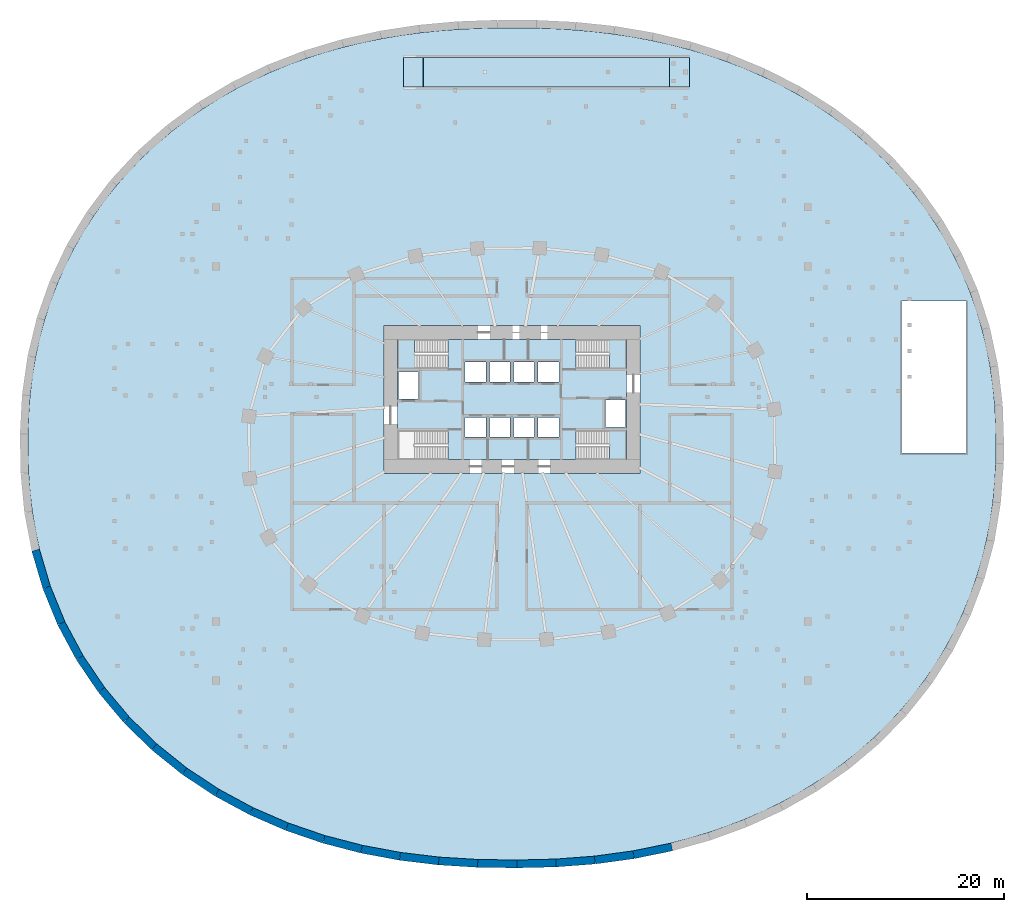
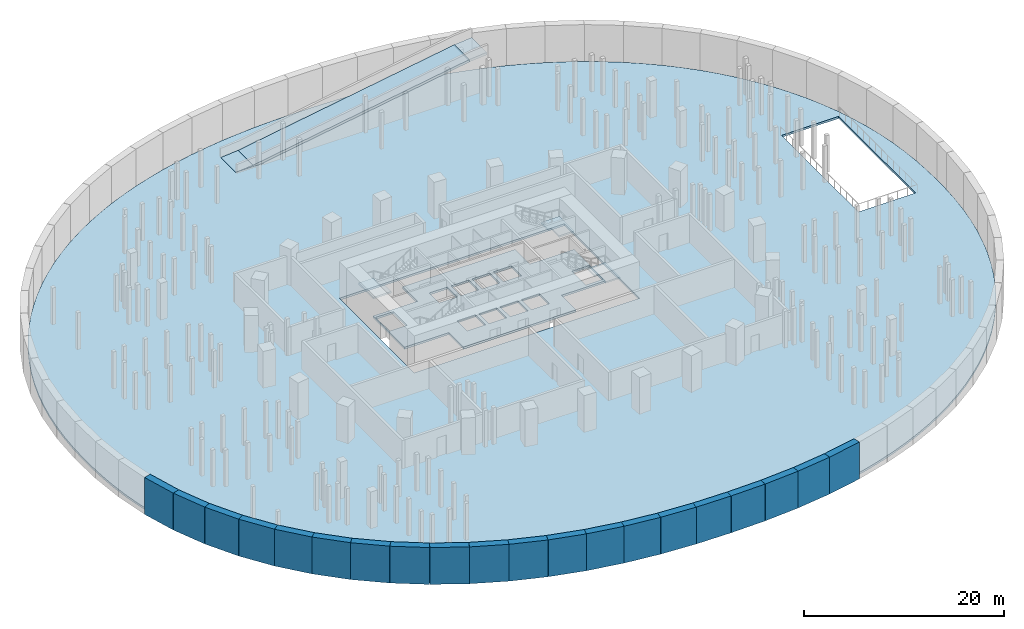
# One storey, part 3 of 9: 20 walls, 8 slabs, 3 elements without a shape of their own.
"""IFC4 building model written with IfcOpenShell, lengths in metres."""

from ifc_helpers import new_model, si_unit, direction, frame, frame_2d, origin, place, context, subcontext, project, spatial, polyline, rectangle, outline, extrude, material, layer, layer_set, type_object, element, aggregate, save


model = new_model("IFC4")

# Units and contexts
model_context = context("Model", 3, precision=1e-05, world=origin(), true_north=direction((0.0, 1.0)))
body_context = subcontext(model_context, "Body", "Model", "MODEL_VIEW")
ifc_project = project(units=[si_unit("LENGTHUNIT", "METRE"), si_unit("AREAUNIT", "SQUARE_METRE"), si_unit("VOLUMEUNIT", "CUBIC_METRE"), si_unit("PLANEANGLEUNIT", "RADIAN"), si_unit("MASSUNIT", "GRAM", prefix="KILO")], contexts=[model_context])

# Site, building, storey
site_placement = place(None, origin())
site = spatial("IfcSite", under=ifc_project, at=site_placement, CompositionType="ELEMENT")
building_placement = place(site_placement, origin())
building = spatial("IfcBuilding", under=site, at=building_placement, Name="Rubra Terraces Tower", CompositionType="ELEMENT")
storey_placement = place(building_placement, frame((0.0, 0.0, -10.5)))
storey = spatial("IfcBuildingStorey", under=building, at=storey_placement, Name="B2", CompositionType="ELEMENT", Elevation=-10.5)

# Slab
ifc_material_1 = material(Name="Concrete C40", Category="concrete")
ifc_layer_1 = layer(ifc_material_1, 0.25)
ifc_layer_set_1 = layer_set([ifc_layer_1], Name="Concrete C40")
slab_type_1 = type_object("IfcSlabType", Name="Core floor slab 250 concrete", PredefinedType="FLOOR", material=ifc_layer_set_1)
slab_1_placement = place(storey_placement, frame((0.0, 0.0, -0.25)))
element("IfcSlab", 1, at=slab_1_placement, inside=storey, type_object=slab_type_1, Name="CORE FLOOR SLAB B2", PredefinedType="FLOOR", context=body_context, shape_type="SweptSolid", body=[
    extrude(outline(polyline([(-11.60009765625, 1.347900390625), (-11.60009765625, 7.652099609375), (-6.501953125, 7.652099609375), (-6.501953125, 10.60009765625), (6.501953125, 10.60009765625), (6.501953125, 7.652099609375), (11.60009765625, 7.652099609375), (11.60009765625, 1.347900390625), (6.501953125, 1.347900390625), (6.501953125, -1.60009765625), (-6.501953125, -1.60009765625), (-6.501953125, 1.347900390625), (-11.60009765625, 1.347900390625)]), holes=[polyline([(9.5, 1.699951171875), (11.5, 1.699951171875), (11.5, 4.449951171875), (9.5, 4.449951171875), (9.5, 1.699951171875)]), polyline([(4.75, 0.699951171875), (4.75, 2.699951171875), (2.64990234375, 2.699951171875), (2.64990234375, 0.699951171875), (4.75, 0.699951171875)]), polyline([(4.75, 6.300048828125), (4.75, 8.300048828125), (2.64990234375, 8.300048828125), (2.64990234375, 6.300048828125), (4.75, 6.300048828125)]), polyline([(2.25, 0.699951171875), (2.25, 2.699951171875), (0.199951171875, 2.699951171875), (0.199951171875, 0.699951171875), (2.25, 0.699951171875)]), polyline([(2.25, 6.300048828125), (2.25, 8.300048828125), (0.199951171875, 8.300048828125), (0.199951171875, 6.300048828125), (2.25, 6.300048828125)]), polyline([(-0.199951171875, 0.699951171875), (-0.199951171875, 2.699951171875), (-2.25, 2.699951171875), (-2.25, 0.699951171875), (-0.199951171875, 0.699951171875)]), polyline([(-0.199951171875, 6.300048828125), (-0.199951171875, 8.300048828125), (-2.25, 8.300048828125), (-2.25, 6.300048828125), (-0.199951171875, 6.300048828125)]), polyline([(-2.64990234375, 0.699951171875), (-2.64990234375, 2.699951171875), (-4.75, 2.699951171875), (-4.75, 0.699951171875), (-2.64990234375, 0.699951171875)]), polyline([(-2.64990234375, 8.300048828125), (-4.75, 8.300048828125), (-4.75, 6.300048828125), (-2.64990234375, 6.300048828125), (-2.64990234375, 8.300048828125)]), polyline([(-9.5, 7.300048828125), (-11.5, 7.300048828125), (-11.5, 4.550048828125), (-9.5, 4.550048828125), (-9.5, 7.300048828125)])]), origin(), (0.0, 0.0, 1.0), 0.25),
])

# Stair, slab
stair_type = type_object("IfcStairType", Name="Core stair 1400", PredefinedType="HALF_TURN_STAIR", material=ifc_material_1)
stair_1_placement = place(storey_placement, origin())
stair_1 = element("IfcStair", 2, at=stair_1_placement, inside=storey, type_object=stair_type, Name="B2 Exit stair S2", PredefinedType="HALF_TURN_STAIR")
ifc_layer_2 = layer(ifc_material_1, 0.199951171875)
ifc_layer_set_2 = layer_set([ifc_layer_2], Name="Concrete C40")
slab_type_2 = type_object("IfcSlabType", Name="Core stair landing 200", PredefinedType="LANDING", material=ifc_layer_set_2)
slab_2_placement = place(storey_placement, frame((0.0, 0.0, 2.050048828125)))
slab_2 = element("IfcSlab", 3, at=slab_2_placement, type_object=slab_type_2, Name="S2 landing 1", PredefinedType="LANDING", context=body_context, shape_type="SweptSolid", body=[
    extrude(outline(polyline([(-9.5, 9.050048828125), (-9.5, 7.64990234375), (-9.89990234375, 7.64990234375), (-11.60009765625, 7.64990234375), (-11.60009765625, 10.60009765625), (-9.89990234375, 10.60009765625), (-9.8798828125, 10.60009765625), (-9.8779296875, 10.60009765625), (-9.8779296875, 9.199951171875), (-9.8798828125, 9.199951171875), (-9.8798828125, 9.050048828125), (-9.5, 9.050048828125)])), origin(), (0.0, 0.0, 1.0), 0.199951171875),
])
aggregate(stair_1, [slab_2])

stair_2_placement = place(storey_placement, origin())
stair_2 = element("IfcStair", 4, at=stair_2_placement, inside=storey, type_object=stair_type, Name="B2 Exit stair S3", PredefinedType="HALF_TURN_STAIR")
slab_3_placement = place(storey_placement, frame((0.0, 0.0, 2.050048828125)))
slab_3 = element("IfcSlab", 5, at=slab_3_placement, type_object=slab_type_2, Name="S3 landing 1", PredefinedType="LANDING", context=body_context, shape_type="SweptSolid", body=[
    extrude(outline(polyline([(9.8798828125, 9.050048828125), (9.8798828125, 9.199951171875), (9.5, 9.199951171875), (9.5, 10.60009765625), (9.8798828125, 10.60009765625), (9.89990234375, 10.60009765625), (11.60009765625, 10.60009765625), (11.60009765625, 7.64990234375), (9.89990234375, 7.64990234375), (9.8779296875, 7.64990234375), (9.8779296875, 9.050048828125), (9.8798828125, 9.050048828125)])), origin(), (0.0, 0.0, 1.0), 0.199951171875),
])
aggregate(stair_2, [slab_3])

stair_3_placement = place(storey_placement, origin())
stair_3 = element("IfcStair", 6, at=stair_3_placement, inside=storey, type_object=stair_type, Name="B2 Exit stair S4", PredefinedType="HALF_TURN_STAIR")
slab_4_placement = place(storey_placement, frame((0.0, 0.0, 2.050048828125)))
slab_4 = element("IfcSlab", 7, at=slab_4_placement, type_object=slab_type_2, Name="S4 landing 1", PredefinedType="LANDING", context=body_context, shape_type="SweptSolid", body=[
    extrude(outline(polyline([(9.8798828125, -0.199951171875), (9.8798828125, -0.050048828125), (9.5, -0.050048828125), (9.5, 1.35009765625), (9.8798828125, 1.35009765625), (9.89990234375, 1.35009765625), (11.60009765625, 1.35009765625), (11.60009765625, -1.60009765625), (9.89990234375, -1.60009765625), (9.8798828125, -1.60009765625), (9.8779296875, -1.60009765625), (9.8779296875, -0.199951171875), (9.8798828125, -0.199951171875)])), origin(), (0.0, 0.0, 1.0), 0.199951171875),
])
aggregate(stair_3, [slab_4])

# Slabs
ifc_layer_3 = layer(ifc_material_1, 0.25)
ifc_layer_set_3 = layer_set([ifc_layer_3], Name="Concrete C40")
slab_type_3 = type_object("IfcSlabType", Name="FLOOR SLAB 250 COMPOSITE", PredefinedType="FLOOR", material=ifc_layer_set_3)
slab_5_placement = place(storey_placement, frame((0.0, 0.0, -0.25)))
element("IfcSlab", 8, at=slab_5_placement, inside=storey, type_object=slab_type_3, Name="FLOOR SLAB B2", PredefinedType="FLOOR", context=body_context, shape_type="SweptSolid", body=[
    extrude(outline(polyline([(48.781005859375, -5.87109375), (48.968017578125, -3.923095703125), (49.071044921875, -1.965087890625), (49.10009765625, 0.0), (49.071044921875, 1.965087890625), (48.968017578125, 3.923095703125), (48.781005859375, 5.87109375), (48.508056640625, 7.806884765625), (48.14208984375, 9.72607421875), (47.68310546875, 11.6240234375), (47.1298828125, 13.49609375), (46.48388671875, 15.337890625), (45.743896484375, 17.14404296875), (44.9130859375, 18.907958984375), (43.991943359375, 20.62890625), (42.98291015625, 22.299072265625), (41.889892578125, 23.9150390625), (40.715087890625, 25.472900390625), (39.4619140625, 26.969970703125), (38.135009765625, 28.403076171875), (36.739990234375, 29.76806640625), (35.278076171875, 31.06396484375), (33.7548828125, 32.2890625), (32.176025390625, 33.44091796875), (30.5439453125, 34.51904296875), (28.864013671875, 35.52197265625), (27.14111328125, 36.451904296875), (25.37890625, 37.306884765625), (23.58203125, 38.087890625), (21.75390625, 38.794921875), (19.89794921875, 39.429931640625), (18.01806640625, 39.9951171875), (16.117919921875, 40.489013671875), (14.200927734375, 40.9150390625), (12.26904296875, 41.27587890625), (10.324951171875, 41.572021484375), (8.37109375, 41.806884765625), (6.409912109375, 41.98388671875), (4.443115234375, 42.10498046875), (2.470947265625, 42.174072265625), (0.493896484375, 42.198974609375), (-1.48291015625, 42.19189453125), (-3.45703125, 42.14501953125), (-5.427001953125, 42.050048828125), (-7.39111328125, 41.903076171875), (-9.34912109375, 41.697998046875), (-11.298095703125, 41.431884765625), (-13.237060546875, 41.10302734375), (-15.162109375, 40.7109375), (-17.071044921875, 40.2509765625), (-18.9609375, 39.721923828125), (-20.8291015625, 39.1220703125), (-22.6708984375, 38.450927734375), (-24.485107421875, 37.7060546875), (-26.264892578125, 36.888916015625), (-28.008056640625, 35.9970703125), (-29.708984375, 35.030029296875), (-31.365966796875, 33.989013671875), (-32.970947265625, 32.8740234375), (-34.52392578125, 31.68505859375), (-36.01708984375, 30.425048828125), (-37.446044921875, 29.093994140625), (-38.80810546875, 27.694091796875), (-40.097900390625, 26.22900390625), (-41.31201171875, 24.700927734375), (-42.447021484375, 23.114013671875), (-43.498046875, 21.469970703125), (-44.464111328125, 19.77490234375), (-45.340087890625, 18.031982421875), (-46.125, 16.24609375), (-46.819091796875, 14.4208984375), (-47.4189453125, 12.56298828125), (-47.924072265625, 10.677978515625), (-48.3359375, 8.76904296875), (-48.656005859375, 6.841064453125), (-48.885009765625, 4.89892578125), (-49.029052734375, 2.945068359375), (-49.093994140625, 0.98291015625), (-49.093994140625, -0.98291015625), (-49.029052734375, -2.945068359375), (-48.885009765625, -4.89892578125), (-48.656005859375, -6.841064453125), (-48.3359375, -8.76904296875), (-47.924072265625, -10.677978515625), (-47.4189453125, -12.56298828125), (-46.819091796875, -14.4208984375), (-46.125, -16.24609375), (-45.340087890625, -18.031982421875), (-44.464111328125, -19.77490234375), (-43.498046875, -21.469970703125), (-42.447021484375, -23.114013671875), (-41.31201171875, -24.700927734375), (-40.097900390625, -26.22900390625), (-38.80810546875, -27.694091796875), (-37.446044921875, -29.093994140625), (-36.01708984375, -30.425048828125), (-34.52392578125, -31.68505859375), (-32.970947265625, -32.8740234375), (-31.365966796875, -33.989013671875), (-29.708984375, -35.030029296875), (-28.008056640625, -35.9970703125), (-26.264892578125, -36.888916015625), (-24.485107421875, -37.7060546875), (-22.6708984375, -38.450927734375), (-20.8291015625, -39.1220703125), (-18.9609375, -39.721923828125), (-17.071044921875, -40.2509765625), (-15.162109375, -40.7109375), (-13.237060546875, -41.10302734375), (-11.298095703125, -41.431884765625), (-9.34912109375, -41.697998046875), (-7.39111328125, -41.903076171875), (-5.427001953125, -42.050048828125), (-3.45703125, -42.14501953125), (-1.48291015625, -42.19189453125), (0.493896484375, -42.198974609375), (2.470947265625, -42.174072265625), (4.443115234375, -42.10498046875), (6.409912109375, -41.98388671875), (8.37109375, -41.806884765625), (10.324951171875, -41.572021484375), (12.26904296875, -41.27587890625), (14.200927734375, -40.9150390625), (16.117919921875, -40.489013671875), (18.01806640625, -39.9951171875), (19.89794921875, -39.429931640625), (21.75390625, -38.794921875), (23.58203125, -38.087890625), (25.37890625, -37.306884765625), (27.14111328125, -36.451904296875), (28.864013671875, -35.52197265625), (30.5439453125, -34.51904296875), (32.176025390625, -33.44091796875), (33.7548828125, -32.2890625), (35.278076171875, -31.06396484375), (36.739990234375, -29.76806640625), (38.135009765625, -28.403076171875), (39.4619140625, -26.969970703125), (40.715087890625, -25.472900390625), (41.889892578125, -23.9150390625), (42.98291015625, -22.299072265625), (43.991943359375, -20.62890625), (44.9130859375, -18.907958984375), (45.743896484375, -17.14404296875), (46.48388671875, -15.337890625), (47.1298828125, -13.49609375), (47.68310546875, -11.6240234375), (48.14208984375, -9.72607421875), (48.508056640625, -7.806884765625), (48.781005859375, -5.87109375)]), holes=[polyline([(-13.0, -3.0), (-13.0, 12.0), (13.0, 12.0), (13.0, -3.0), (-13.0, -3.0)]), polyline([(39.5, 14.5), (46.10009765625, 14.5), (46.10009765625, -0.89990234375), (39.5, -0.89990234375), (39.5, 14.5)]), polyline([(-7.800048828125, 36.199951171875), (-11.0, 36.199951171875), (-11.0, 39.199951171875), (-7.800048828125, 39.199951171875), (-7.800048828125, 36.199951171875)])]), origin(), (0.0, 0.0, 1.0), 0.25),
])
ifc_material_2 = material(Name="Concrete C40/50", Category="concrete")
ifc_layer_4 = layer(ifc_material_2, 0.300048828125)
ifc_layer_set_4 = layer_set([ifc_layer_4], Name="Concrete C40/50")
slab_type_4 = type_object("IfcSlabType", Name="Vehicle ramp slab 300", PredefinedType="FLOOR", material=ifc_layer_set_4)
slab_6_placement = place(storey_placement, frame((-11.0, 36.199951171875, 0.0), z_axis=(-0.083206556192, 0.0, 0.996532322108), x_axis=(0.996532322108, 0.0, 0.083206556192)))
element("IfcSlab", 9, at=slab_6_placement, inside=storey, type_object=slab_type_4, Name="Vehicle ramp B2 to B1", PredefinedType="FLOOR", context=body_context, shape_type="SweptSolid", body=[
    extrude(outline(polyline([(0.0, 0.0), (2.0069594890495512, 0.0), (2.0069594890495512, 3.0), (0.0, 3.0), (0.0, 0.0)])), origin(), (0.0, 0.0, -1.0), 0.300048828125),
])
slab_7_placement = place(storey_placement, frame((-9.0, 36.199951171875, 0.1669921875), z_axis=(-0.164373994058, 0.0, 0.986398089048), x_axis=(0.986398089048, 0.0, 0.164373994058)))
element("IfcSlab", 10, at=slab_7_placement, inside=storey, type_object=slab_type_4, Name="Vehicle ramp B2 to B1", PredefinedType="FLOOR", context=body_context, shape_type="SweptSolid", body=[
    extrude(outline(polyline([(0.0, 0.0), (25.344736853787694, 0.0), (25.344736853787694, 3.0), (0.0, 3.0), (0.0, 0.0)])), origin(), (0.0, 0.0, -1.0), 0.300048828125),
])
slab_8_placement = place(storey_placement, frame((16.0, 36.199951171875, 4.3330078125), z_axis=(-0.083206556192, 0.0, 0.996532322108), x_axis=(0.996532322108, 0.0, 0.083206556192)))
element("IfcSlab", 11, at=slab_8_placement, inside=storey, type_object=slab_type_4, Name="Vehicle ramp B2 to B1", PredefinedType="FLOOR", context=body_context, shape_type="SweptSolid", body=[
    extrude(outline(polyline([(0.0, 0.0), (2.0069594890495512, 0.0), (2.0069594890495512, 3.0), (0.0, 3.0), (0.0, 0.0)])), origin(), (0.0, 0.0, -1.0), 0.300048828125),
])

# Walls
ifc_layer_5 = layer(ifc_material_1, 0.800048828125)
ifc_layer_set_5 = layer_set([ifc_layer_5], Name="Concrete C40")
wall_type = type_object("IfcWallType", Name="BASEMENT WALL 800", PredefinedType="SOLIDWALL", material=ifc_layer_set_5)
wall_1_placement = place(storey_placement, frame((16.2119140625, -40.8779296875, 0.0), z_axis=(0.0, 0.0, 1.0), x_axis=(-0.979755666471, -0.200196988034, 0.0)))
element("IfcWall", 12, at=wall_1_placement, inside=storey, type_object=wall_type, Name="wall-B2-basement-016", PredefinedType="SOLIDWALL", context=body_context, shape_type="SweptSolid", body=[
    extrude(rectangle(XDim=3.9560546875, YDim=0.800048828125, at=frame_2d((1.97802734375, 0.0))), origin(), (0.0, 0.0, 1.0), 4.5),
])
wall_2_placement = place(storey_placement, frame((12.3359375, -41.669921875, 0.0), z_axis=(0.0, 0.0, 1.0), x_axis=(-0.990822661728, -0.135168239638, 0.0)))
element("IfcWall", 13, at=wall_2_placement, inside=storey, type_object=wall_type, Name="wall-B2-basement-017", PredefinedType="SOLIDWALL", context=body_context, shape_type="SweptSolid", body=[
    extrude(rectangle(XDim=3.959228515625, YDim=0.800048828125, at=frame_2d((1.9794921875, 0.0))), origin(), (0.0, 0.0, 1.0), 4.5),
])
wall_3_placement = place(storey_placement, frame((8.4130859375, -42.205078125, 0.0), z_axis=(0.0, 0.0, 1.0), x_axis=(-0.997152243414, -0.075414875552, 0.0)))
element("IfcWall", 14, at=wall_3_placement, inside=storey, type_object=wall_type, Name="wall-B2-basement-018", PredefinedType="SOLIDWALL", context=body_context, shape_type="SweptSolid", body=[
    extrude(rectangle(XDim=3.96240234375, YDim=0.800048828125, at=frame_2d((1.981201171875, 0.0))), origin(), (0.0, 0.0, 1.0), 4.5),
])
wall_4_placement = place(storey_placement, frame((4.4619140625, -42.50390625, 0.0), z_axis=(0.0, 0.0, 1.0), x_axis=(-0.999711911745, -0.02400194814, 0.0)))
element("IfcWall", 15, at=wall_4_placement, inside=storey, type_object=wall_type, Name="wall-B2-basement-019", PredefinedType="SOLIDWALL", context=body_context, shape_type="SweptSolid", body=[
    extrude(rectangle(XDim=3.967041015625, YDim=0.800048828125, at=frame_2d((1.9833984375, 0.0))), origin(), (0.0, 0.0, 1.0), 4.5),
])
wall_5_placement = place(storey_placement, frame((0.49609375, -42.59912109375, 0.0), z_axis=(0.0, 0.0, 1.0), x_axis=(-0.999906682761, 0.013661104288, 0.0)))
element("IfcWall", 16, at=wall_5_placement, inside=storey, type_object=wall_type, Name="wall-B2-basement-020", PredefinedType="SOLIDWALL", context=body_context, shape_type="SweptSolid", body=[
    extrude(rectangle(XDim=3.967529296875, YDim=0.800048828125, at=frame_2d((1.98388671875, 0.0))), origin(), (0.0, 0.0, 1.0), 4.5),
])
wall_6_placement = place(storey_placement, frame((-3.470947265625, -42.544921875, 0.0), z_axis=(0.0, 0.0, 1.0), x_axis=(-0.998104950185, 0.06153461153, 0.0)))
element("IfcWall", 17, at=wall_6_placement, inside=storey, type_object=wall_type, Name="wall-B2-basement-021", PredefinedType="SOLIDWALL", context=body_context, shape_type="SweptSolid", body=[
    extrude(rectangle(XDim=3.963623046875, YDim=0.800048828125, at=frame_2d((1.98193359375, 0.0))), origin(), (0.0, 0.0, 1.0), 4.5),
])
wall_7_placement = place(storey_placement, frame((-7.427001953125, -42.301025390625, 0.0), z_axis=(0.0, 0.0, 1.0), x_axis=(-0.992804589286, 0.119745761903, 0.0)))
element("IfcWall", 18, at=wall_7_placement, inside=storey, type_object=wall_type, Name="wall-B2-basement-022", PredefinedType="SOLIDWALL", context=body_context, shape_type="SweptSolid", body=[
    extrude(rectangle(XDim=3.95947265625, YDim=0.800048828125, at=frame_2d((1.979736328125, 0.0))), origin(), (0.0, 0.0, 1.0), 4.5),
])
wall_8_placement = place(storey_placement, frame((-11.35791015625, -41.826904296875, 0.0), z_axis=(0.0, 0.0, 1.0), x_axis=(-0.983043530822, 0.183372343904, 0.0)))
element("IfcWall", 19, at=wall_8_placement, inside=storey, type_object=wall_type, Name="wall-B2-basement-023", PredefinedType="SOLIDWALL", context=body_context, shape_type="SweptSolid", body=[
    extrude(rectangle(XDim=3.958251953125, YDim=0.800048828125, at=frame_2d((1.97900390625, 0.0))), origin(), (0.0, 0.0, 1.0), 4.5),
])
wall_9_placement = place(storey_placement, frame((-15.2490234375, -41.10107421875, 0.0), z_axis=(0.0, 0.0, 1.0), x_axis=(-0.96775481132, 0.251894075291, 0.0)))
element("IfcWall", 20, at=wall_9_placement, inside=storey, type_object=wall_type, Name="wall-B2-basement-024", PredefinedType="SOLIDWALL", context=body_context, shape_type="SweptSolid", body=[
    extrude(rectangle(XDim=3.954345703125, YDim=0.800048828125, at=frame_2d((1.97705078125, 0.0))), origin(), (0.0, 0.0, 1.0), 4.5),
])
wall_10_placement = place(storey_placement, frame((-19.075927734375, -40.10498046875, 0.0), z_axis=(0.0, 0.0, 1.0), x_axis=(-0.946019018059, 0.324111119018, 0.0)))
element("IfcWall", 21, at=wall_10_placement, inside=storey, type_object=wall_type, Name="wall-B2-basement-025", PredefinedType="SOLIDWALL", context=body_context, shape_type="SweptSolid", body=[
    extrude(rectangle(XDim=3.952392578125, YDim=0.800048828125, at=frame_2d((1.97607421875, 0.0))), origin(), (0.0, 0.0, 1.0), 4.5),
])
wall_11_placement = place(storey_placement, frame((-22.81494140625, -38.823974609375, 0.0), z_axis=(0.0, 0.0, 1.0), x_axis=(-0.917135856033, 0.398574737757, 0.0)))
element("IfcWall", 22, at=wall_11_placement, inside=storey, type_object=wall_type, Name="wall-B2-basement-026", PredefinedType="SOLIDWALL", context=body_context, shape_type="SweptSolid", body=[
    extrude(rectangle(XDim=3.951416015625, YDim=0.800048828125, at=frame_2d((1.9755859375, 0.0))), origin(), (0.0, 0.0, 1.0), 4.5),
])
wall_12_placement = place(storey_placement, frame((-26.43896484375, -37.2490234375, 0.0), z_axis=(0.0, 0.0, 1.0), x_axis=(-0.879966388583, 0.475035951234, 0.0)))
element("IfcWall", 23, at=wall_12_placement, inside=storey, type_object=wall_type, Name="wall-B2-basement-027", PredefinedType="SOLIDWALL", context=body_context, shape_type="SweptSolid", body=[
    extrude(rectangle(XDim=3.94921875, YDim=0.800048828125, at=frame_2d((1.974609375, 0.0))), origin(), (0.0, 0.0, 1.0), 4.5),
])
wall_13_placement = place(storey_placement, frame((-29.9140625, -35.373046875, 0.0), z_axis=(0.0, 0.0, 1.0), x_axis=(-0.834298741372, 0.551312624692, 0.0)))
element("IfcWall", 24, at=wall_13_placement, inside=storey, type_object=wall_type, Name="wall-B2-basement-028", PredefinedType="SOLIDWALL", context=body_context, shape_type="SweptSolid", body=[
    extrude(rectangle(XDim=3.947021484375, YDim=0.800048828125, at=frame_2d((1.9736328125, 0.0))), origin(), (0.0, 0.0, 1.0), 4.5),
])
wall_14_placement = place(storey_placement, frame((-33.20703125, -33.197021484375, 0.0), z_axis=(0.0, 0.0, 1.0), x_axis=(-0.779266654886, 0.626692492841, 0.0)))
element("IfcWall", 25, at=wall_14_placement, inside=storey, type_object=wall_type, Name="wall-B2-basement-029", PredefinedType="SOLIDWALL", context=body_context, shape_type="SweptSolid", body=[
    extrude(rectangle(XDim=3.946044921875, YDim=0.800048828125, at=frame_2d((1.97314453125, 0.0))), origin(), (0.0, 0.0, 1.0), 4.5),
])
wall_15_placement = place(storey_placement, frame((-36.281982421875, -30.72412109375, 0.0), z_axis=(0.0, 0.0, 1.0), x_axis=(-0.714802407758, 0.699326474447, 0.0)))
element("IfcWall", 26, at=wall_15_placement, inside=storey, type_object=wall_type, Name="wall-B2-basement-030", PredefinedType="SOLIDWALL", context=body_context, shape_type="SweptSolid", body=[
    extrude(rectangle(XDim=3.94384765625, YDim=0.800048828125, at=frame_2d((1.971923828125, 0.0))), origin(), (0.0, 0.0, 1.0), 4.5),
])
wall_16_placement = place(storey_placement, frame((-39.10107421875, -27.966064453125, 0.0), z_axis=(0.0, 0.0, 1.0), x_axis=(-0.641663169407, 0.766986555962, 0.0)))
element("IfcWall", 27, at=wall_16_placement, inside=storey, type_object=wall_type, Name="wall-B2-basement-031", PredefinedType="SOLIDWALL", context=body_context, shape_type="SweptSolid", body=[
    extrude(rectangle(XDim=3.94287109375, YDim=0.800048828125, at=frame_2d((1.971435546875, 0.0))), origin(), (0.0, 0.0, 1.0), 4.5),
])
wall_17_placement = place(storey_placement, frame((-41.631103515625, -24.94189453125, 0.0), z_axis=(0.0, 0.0, 1.0), x_axis=(-0.560375599992, 0.828238605073, 0.0)))
element("IfcWall", 28, at=wall_17_placement, inside=storey, type_object=wall_type, Name="wall-B2-basement-032", PredefinedType="SOLIDWALL", context=body_context, shape_type="SweptSolid", body=[
    extrude(rectangle(XDim=3.94189453125, YDim=0.800048828125, at=frame_2d((1.970947265625, 0.0))), origin(), (0.0, 0.0, 1.0), 4.5),
])
wall_18_placement = place(storey_placement, frame((-43.840087890625, -21.677001953125, 0.0), z_axis=(0.0, 0.0, 1.0), x_axis=(-0.472252344844, 0.88146339844, 0.0)))
element("IfcWall", 29, at=wall_18_placement, inside=storey, type_object=wall_type, Name="wall-B2-basement-033", PredefinedType="SOLIDWALL", context=body_context, shape_type="SweptSolid", body=[
    extrude(rectangle(XDim=3.9423828125, YDim=0.800048828125, at=frame_2d((1.97119140625, 0.0))), origin(), (0.0, 0.0, 1.0), 4.5),
])
wall_19_placement = place(storey_placement, frame((-45.701904296875, -18.201904296875, 0.0), z_axis=(0.0, 0.0, 1.0), x_axis=(-0.378936605843, 0.925422632505, 0.0)))
element("IfcWall", 30, at=wall_19_placement, inside=storey, type_object=wall_type, Name="wall-B2-basement-034", PredefinedType="SOLIDWALL", context=body_context, shape_type="SweptSolid", body=[
    extrude(rectangle(XDim=3.94287109375, YDim=0.800048828125, at=frame_2d((1.971435546875, 0.0))), origin(), (0.0, 0.0, 1.0), 4.5),
])
wall_20_placement = place(storey_placement, frame((-47.196044921875, -14.552978515625, 0.0), z_axis=(0.0, 0.0, 1.0), x_axis=(-0.283306014668, 0.959029562659, 0.0)))
element("IfcWall", 31, at=wall_20_placement, inside=storey, type_object=wall_type, Name="wall-B2-basement-035", PredefinedType="SOLIDWALL", context=body_context, shape_type="SweptSolid", body=[
    extrude(rectangle(XDim=3.942626953125, YDim=0.800048828125, at=frame_2d((1.97119140625, 0.0))), origin(), (0.0, 0.0, 1.0), 4.5),
])

save(model, "model.ifc")
